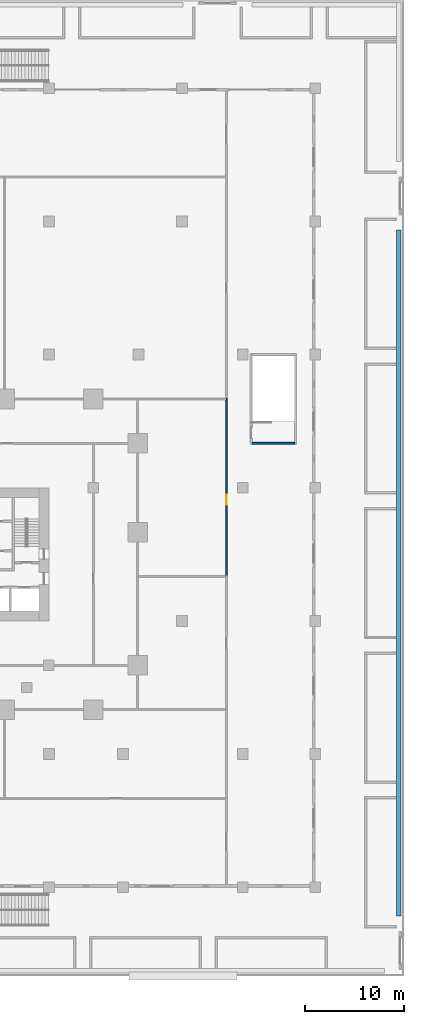
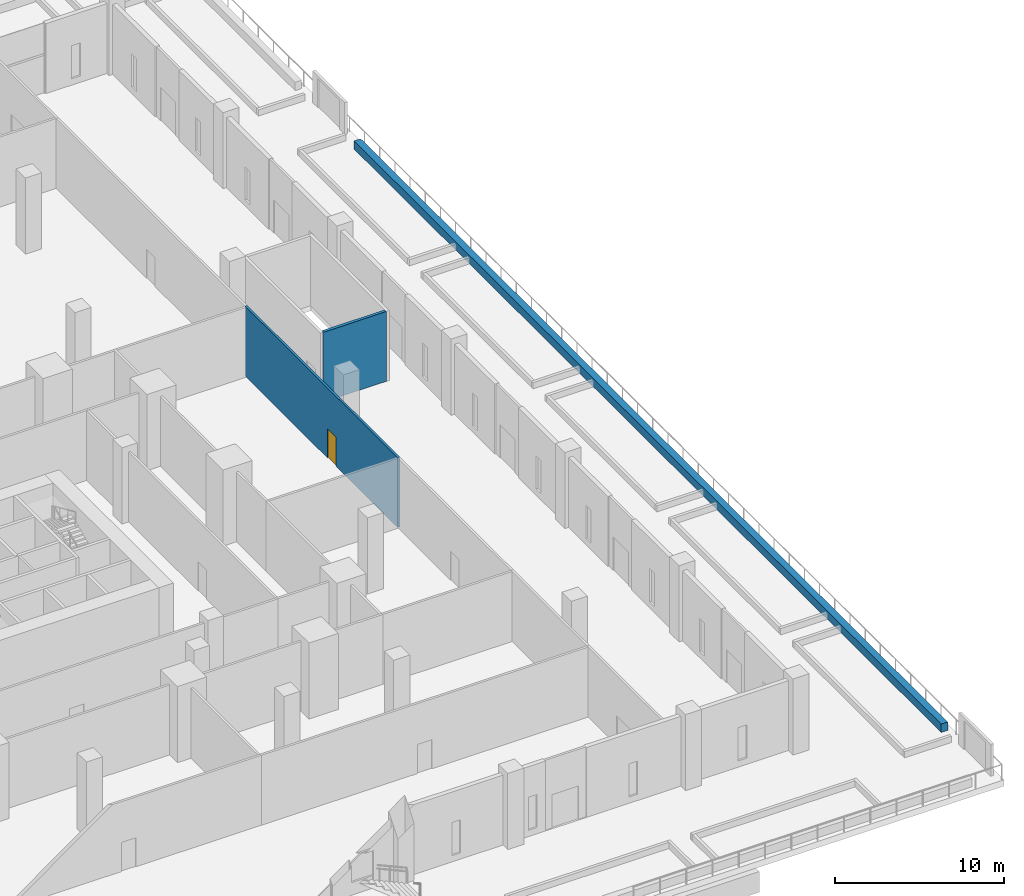
# One storey, part 38 of 47: 3 walls, 1 door, 1 opening.
"""IFC4 building model written with IfcOpenShell, lengths in metres."""

from ifc_helpers import new_model, si_unit, direction, frame, frame_2d, origin, place, context, subcontext, project, spatial, rectangle, extrude, material, layer, layer_set, type_object, element, fill, save


model = new_model("IFC4")

# Units and contexts
model_context = context("Model", 3, precision=1e-05, world=origin(), true_north=direction((0.0, 1.0)))
body_context = subcontext(model_context, "Body", "Model", "MODEL_VIEW")
ifc_project = project(units=[si_unit("LENGTHUNIT", "METRE"), si_unit("AREAUNIT", "SQUARE_METRE"), si_unit("VOLUMEUNIT", "CUBIC_METRE"), si_unit("PLANEANGLEUNIT", "RADIAN"), si_unit("MASSUNIT", "GRAM", prefix="KILO")], contexts=[model_context])

# Site, building, storey
site_placement = place(None, origin())
site = spatial("IfcSite", under=ifc_project, at=site_placement, CompositionType="ELEMENT")
building_placement = place(site_placement, origin())
building = spatial("IfcBuilding", under=site, at=building_placement, Name="Altepetl Exchange Towers", CompositionType="ELEMENT")
storey_placement = place(building_placement, frame((0.0, 0.0, 6.0)))
storey = spatial("IfcBuildingStorey", under=building, at=storey_placement, Name="L01 Retail podium", CompositionType="ELEMENT", Elevation=6.0)

# Wall
ifc_material_1 = material(Name="Concrete C30/37", Category="concrete")
ifc_layer_1 = layer(ifc_material_1, 0.449951171875)
ifc_layer_set_1 = layer_set([ifc_layer_1], Name="Concrete C30/37")
wall_type_1 = type_object("IfcWallType", Name="Planter wall 450 concrete", PredefinedType="SOLIDWALL", material=ifc_layer_set_1)
wall_1_placement = place(storey_placement, frame((152.449951171875, 6.092529296875, 0.0), z_axis=(0.0, 0.0, 1.0), x_axis=(0.0, 1.0, 0.0)))
element("IfcWall", 1, at=wall_1_placement, inside=storey, type_object=wall_type_1, Name="Planter bed wall", PredefinedType="SOLIDWALL", context=body_context, shape_type="SweptSolid", body=[
    extrude(rectangle(XDim=69.514892578125, YDim=0.449951171875, at=frame_2d((34.75732421875, 0.0))), origin(), (0.0, 0.0, 1.0), 0.60009765625),
])

# Wall, opening, door
ifc_material_2 = material(Name="Gypsum board on steel studs", Category="steel")
ifc_layer_2 = layer(ifc_material_2, 0.14990234375)
ifc_layer_set_2 = layer_set([ifc_layer_2], Name="Gypsum board on steel studs")
wall_type_2 = type_object("IfcWallType", Name="Podium partition 150", PredefinedType="PARTITIONING", material=ifc_layer_set_2)
wall_2_placement = place(storey_placement, frame((135.0, 40.5, 0.0), z_axis=(0.0, 0.0, 1.0), x_axis=(0.0, 1.0, 0.0)))
wall_2 = element("IfcWall", 2, at=wall_2_placement, inside=storey, type_object=wall_type_2, Name="wall:P:L01:P059", PredefinedType="PARTITIONING", context=body_context, shape_type="SweptSolid", body=[
    extrude(rectangle(XDim=18.074951171875, YDim=0.14990234375, at=frame_2d((9.03759765625, 0.0))), origin(), (0.0, 0.0, 1.0), 5.050048828125),
])
opening_placement = place(wall_2_placement, frame((7.300048828125, 0.0, 0.0)))
opening = element("IfcOpeningElement", 3, at=opening_placement, cuts=wall_2, Name="Opening L01.P020", PredefinedType="OPENING", context=body_context, shape_type="SweptSolid", body=[
    extrude(rectangle(XDim=1.0, YDim=2.10009765625, at=frame_2d((0.5, 1.050048828125))), frame((0.0, 0.0849609375, 0.0), z_axis=(0.0, -1.0, 0.0), x_axis=(1.0, 0.0, 0.0)), (0.0, 0.0, 1.0), 0.169921875),
])
ifc_material_3 = material(Name="Steel and timber fire door", Category="steel")
door_type = type_object("IfcDoorType", Name="Podium fire door 1000 x 2100 single leaf", OperationType="SINGLE_SWING_LEFT", PredefinedType="DOOR", material=ifc_material_3)
door_placement = place(opening_placement, origin())
door = element("IfcDoor", 4, at=door_placement, inside=storey, type_object=door_type, Name="door:P:L01:020", OperationType="SINGLE_SWING_LEFT", OverallHeight=2.10009765625, OverallWidth=1.0, PredefinedType="DOOR", context=body_context, shape_type="SweptSolid", body=[
    extrude(rectangle(XDim=1.0, YDim=2.10009765625, at=frame_2d((0.5, 1.050048828125))), frame((0.0, 0.02490234375, 0.0), z_axis=(0.0, -1.0, 0.0), x_axis=(1.0, 0.0, 0.0)), (0.0, 0.0, 1.0), 0.050048828125),
])
fill(opening, door)

# Wall
ifc_material_4 = material(Name="Reinforced concrete C35/45", Category="concrete")
ifc_layer_3 = layer(ifc_material_4, 0.199951171875)
ifc_layer_set_3 = layer_set([ifc_layer_3], Name="Reinforced concrete C35/45")
wall_type_3 = type_object("IfcWallType", Name="Stair enclosure wall 200", PredefinedType="SOLIDWALL", material=ifc_layer_set_3)
wall_3_placement = place(storey_placement, frame((137.60009765625, 54.0, 0.0)))
element("IfcWall", 5, at=wall_3_placement, inside=storey, type_object=wall_type_3, Name="wall:P:L01:P063", PredefinedType="SOLIDWALL", context=body_context, shape_type="SweptSolid", body=[
    extrude(rectangle(XDim=4.2998046875, YDim=0.199951171875, at=frame_2d((2.14990234375, 0.0))), origin(), (0.0, 0.0, 1.0), 5.050048828125),
])

save(model, "model.ifc")
